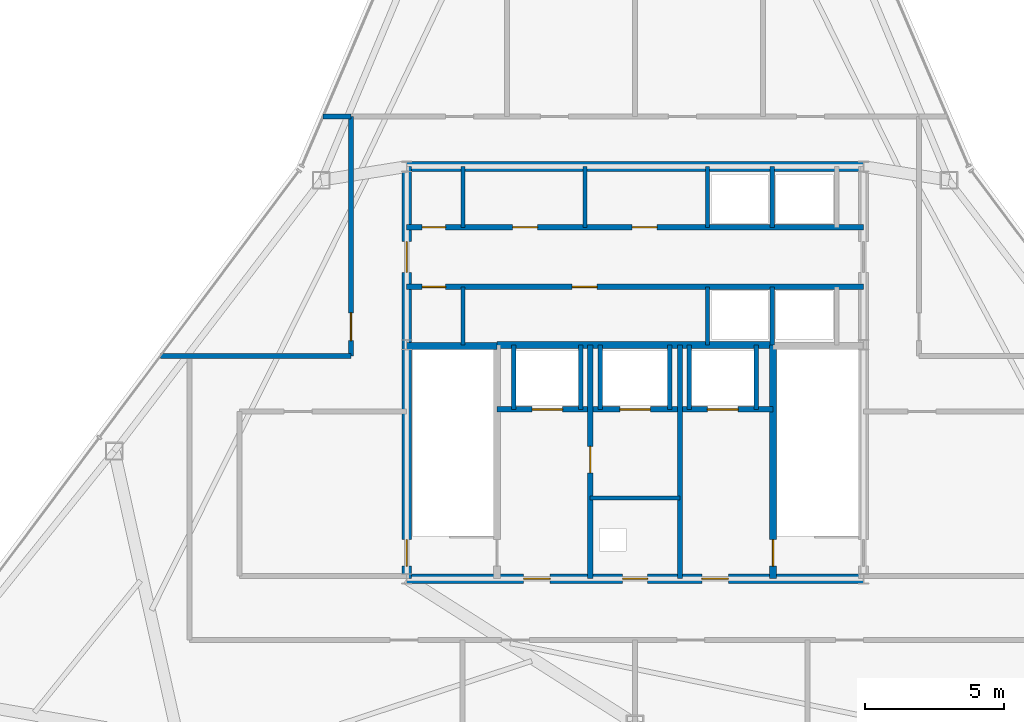
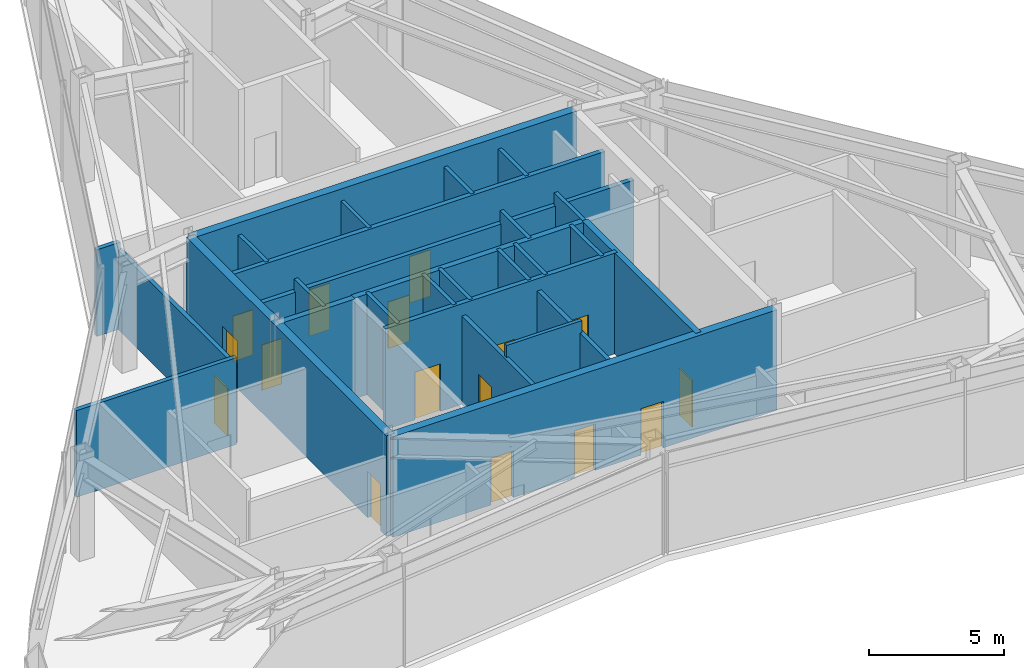
# One storey, part 9 of 11: 28 walls, 16 doors, 16 openings.
"""IFC4 building model written with IfcOpenShell, lengths in metres."""

from ifc_helpers import new_model, si_unit, direction, frame, frame_2d, origin, place, context, subcontext, project, spatial, rectangle, extrude, material, layer, layer_set, type_object, element, fill, save


model = new_model("IFC4")

# Units and contexts
model_context = context("Model", 3, precision=1e-05, world=origin(), true_north=direction((0.0, 1.0)))
body_context = subcontext(model_context, "Body", "Model", "MODEL_VIEW")
ifc_project = project(units=[si_unit("LENGTHUNIT", "METRE"), si_unit("AREAUNIT", "SQUARE_METRE"), si_unit("VOLUMEUNIT", "CUBIC_METRE"), si_unit("PLANEANGLEUNIT", "RADIAN"), si_unit("MASSUNIT", "GRAM", prefix="KILO")], contexts=[model_context])

# Site, building, storey
site_placement = place(None, origin())
site = spatial("IfcSite", under=ifc_project, at=site_placement, CompositionType="ELEMENT")
building_placement = place(site_placement, origin())
building = spatial("IfcBuilding", under=site, at=building_placement, Name="Varakhsha Concourse Tower", CompositionType="ELEMENT")
storey_placement = place(building_placement, frame((0.0, 0.0, 290.0)))
storey = spatial("IfcBuildingStorey", under=building, at=storey_placement, Name="L82", CompositionType="ELEMENT", Elevation=290.0)

# Wall, openings, doors
ifc_material_1 = material(Name="Concrete fc 65 MPa", Category="concrete")
ifc_layer_1 = layer(ifc_material_1, 0.35009765625, Name="WL-CORE-350")
ifc_layer_set_1 = layer_set([ifc_layer_1], Name="Concrete fc 65 MPa")
wall_type_1 = type_object("IfcWallType", Name="WL-CORE-350", PredefinedType="SHEAR", material=ifc_layer_set_1)
wall_1_placement = place(storey_placement, frame((31.800048828125, 16.39990234375, 0.0), z_axis=(0.0, 0.0, 1.0), x_axis=(1.0, 0.0, 0.0)))
wall_1 = element("IfcWall", 1, at=wall_1_placement, inside=storey, type_object=wall_type_1, Name="L82 Wall CWALL-S-L82", PredefinedType="SHEAR", context=body_context, shape_type="SweptSolid", body=[
    extrude(rectangle(XDim=16.39990234375, YDim=0.35009765625, at=frame_2d((8.199951171875, 0.0))), origin(), (0.0, 0.0, 1.0), 4.5400390625),
])
opening_1_placement = place(wall_1_placement, frame((7.75, 0.0, 0.0)))
opening_1 = element("IfcOpeningElement", 2, at=opening_1_placement, cuts=wall_1, Name="Opening DF-06", PredefinedType="OPENING", context=body_context, shape_type="SweptSolid", body=[
    extrude(rectangle(XDim=0.89990234375, YDim=2.10009765625, at=frame_2d((0.449951171875, 1.050048828125))), frame((0.0, 0.18505859375, 0.0), z_axis=(0.0, -1.0, 0.0), x_axis=(1.0, 0.0, 0.0)), (0.0, 0.0, 1.0), 0.3701171875),
])
opening_2_placement = place(wall_1_placement, frame((4.199951171875, 0.0, 0.0)))
opening_2 = element("IfcOpeningElement", 3, at=opening_2_placement, cuts=wall_1, Name="Opening DF-05", PredefinedType="OPENING", context=body_context, shape_type="SweptSolid", body=[
    extrude(rectangle(XDim=0.949951171875, YDim=2.10009765625, at=frame_2d((0.47509765625, 1.050048828125))), frame((0.0, 0.18505859375, 0.0), z_axis=(0.0, -1.0, 0.0), x_axis=(1.0, 0.0, 0.0)), (0.0, 0.0, 1.0), 0.3701171875),
])
opening_3_placement = place(wall_1_placement, frame((10.60009765625, 0.0, 0.0)))
opening_3 = element("IfcOpeningElement", 4, at=opening_3_placement, cuts=wall_1, Name="Opening DF-05", PredefinedType="OPENING", context=body_context, shape_type="SweptSolid", body=[
    extrude(rectangle(XDim=0.949951171875, YDim=2.10009765625, at=frame_2d((0.47509765625, 1.050048828125))), frame((0.0, 0.18505859375, 0.0), z_axis=(0.0, -1.0, 0.0), x_axis=(1.0, 0.0, 0.0)), (0.0, 0.0, 1.0), 0.3701171875),
])
ifc_material_2 = material(Name="Hollow Galvanised Steel Fire Door Assembly", Category="steel")
door_type_1 = type_object("IfcDoorType", Name="DR-FD60-900", OperationType="NOTDEFINED", PredefinedType="DOOR", material=ifc_material_2)
door_1_placement = place(opening_1_placement, origin())
door_1 = element("IfcDoor", 5, at=door_1_placement, inside=storey, type_object=door_type_1, Name="L82 Electrical Riser Access Door", OperationType="SINGLE_SWING_LEFT", OverallHeight=2.10009765625, OverallWidth=0.89990234375, PredefinedType="DOOR", context=body_context, shape_type="SweptSolid", body=[
    extrude(rectangle(XDim=0.89990234375, YDim=2.10009765625, at=frame_2d((0.449951171875, 1.050048828125))), frame((0.0, 0.02490234375, 0.0), z_axis=(0.0, -1.0, 0.0), x_axis=(1.0, 0.0, 0.0)), (0.0, 0.0, 1.0), 0.050048828125),
])
fill(opening_1, door_1)
door_type_2 = type_object("IfcDoorType", Name="DR-FD60-950", OperationType="NOTDEFINED", PredefinedType="DOOR", material=ifc_material_2)
door_2_placement = place(opening_2_placement, origin())
door_2 = element("IfcDoor", 6, at=door_2_placement, inside=storey, type_object=door_type_2, Name="L82 Firefighting Lobby West Door", OperationType="SINGLE_SWING_RIGHT", OverallHeight=2.10009765625, OverallWidth=0.949951171875, PredefinedType="DOOR", context=body_context, shape_type="SweptSolid", body=[
    extrude(rectangle(XDim=0.949951171875, YDim=2.10009765625, at=frame_2d((0.47509765625, 1.050048828125))), frame((0.0, 0.02490234375, 0.0), z_axis=(0.0, -1.0, 0.0), x_axis=(1.0, 0.0, 0.0)), (0.0, 0.0, 1.0), 0.050048828125),
])
fill(opening_2, door_2)
door_3_placement = place(opening_3_placement, origin())
door_3 = element("IfcDoor", 7, at=door_3_placement, inside=storey, type_object=door_type_2, Name="L82 Firefighting Lobby East Door", OperationType="SINGLE_SWING_LEFT", OverallHeight=2.10009765625, OverallWidth=0.949951171875, PredefinedType="DOOR", context=body_context, shape_type="SweptSolid", body=[
    extrude(rectangle(XDim=0.949951171875, YDim=2.10009765625, at=frame_2d((0.47509765625, 1.050048828125))), frame((0.0, 0.02490234375, 0.0), z_axis=(0.0, -1.0, 0.0), x_axis=(1.0, 0.0, 0.0)), (0.0, 0.0, 1.0), 0.050048828125),
])
fill(opening_3, door_3)

# Wall
wall_2_placement = place(storey_placement, frame((31.800048828125, 31.199951171875, 0.0), z_axis=(0.0, 0.0, 1.0), x_axis=(1.0, 0.0, 0.0)))
element("IfcWall", 8, at=wall_2_placement, inside=storey, type_object=wall_type_1, Name="L82 Wall CWALL-N-L82", PredefinedType="SHEAR", context=body_context, shape_type="SweptSolid", body=[
    extrude(rectangle(XDim=16.39990234375, YDim=0.35009765625, at=frame_2d((8.199951171875, 0.0))), origin(), (0.0, 0.0, 1.0), 4.5400390625),
])

# Wall, openings, doors
wall_3_placement = place(storey_placement, frame((31.800048828125, 16.39990234375, 0.0), z_axis=(0.0, 0.0, 1.0), x_axis=(0.0, 1.0, 0.0)))
wall_3 = element("IfcWall", 9, at=wall_3_placement, inside=storey, type_object=wall_type_1, Name="L82 Wall CWALL-W-L82", PredefinedType="SHEAR", context=body_context, shape_type="SweptSolid", body=[
    extrude(rectangle(XDim=14.800048828125, YDim=0.35009765625, at=frame_2d((7.39990234375, 0.0))), origin(), (0.0, 0.0, 1.0), 4.5400390625),
])
opening_4_placement = place(wall_3_placement, frame((11.0, 0.0, 0.0)))
opening_4 = element("IfcOpeningElement", 10, at=opening_4_placement, cuts=wall_3, Name="Opening DL-01", PredefinedType="OPENING", context=body_context, shape_type="SweptSolid", body=[
    extrude(rectangle(XDim=1.10009765625, YDim=2.14990234375, at=frame_2d((0.550048828125, 1.074951171875))), frame((0.0, 0.18505859375, 0.0), z_axis=(0.0, -1.0, 0.0), x_axis=(1.0, 0.0, 0.0)), (0.0, 0.0, 1.0), 0.3701171875),
])
opening_5_placement = place(wall_3_placement, frame((0.449951171875, 0.0, 0.0)))
opening_5 = element("IfcOpeningElement", 11, at=opening_5_placement, cuts=wall_3, Name="Opening DF-03", PredefinedType="OPENING", context=body_context, shape_type="SweptSolid", body=[
    extrude(rectangle(XDim=0.949951171875, YDim=2.10009765625, at=frame_2d((0.47509765625, 1.050048828125))), frame((0.0, 0.18505859375, 0.0), z_axis=(0.0, -1.0, 0.0), x_axis=(1.0, 0.0, 0.0)), (0.0, 0.0, 1.0), 0.3701171875),
])
door_type_3 = type_object("IfcDoorType", Name="DR-FD90-950", OperationType="NOTDEFINED", PredefinedType="DOOR", material=ifc_material_2)
door_4_placement = place(opening_5_placement, origin())
door_4 = element("IfcDoor", 12, at=door_4_placement, inside=storey, type_object=door_type_3, Name="L82 Area of Refuge West Stair ST1 Door", OperationType="SINGLE_SWING_LEFT", OverallHeight=2.10009765625, OverallWidth=0.949951171875, PredefinedType="DOOR", context=body_context, shape_type="SweptSolid", body=[
    extrude(rectangle(XDim=0.949951171875, YDim=2.10009765625, at=frame_2d((0.47509765625, 1.050048828125))), frame((0.0, 0.02490234375, 0.0), z_axis=(0.0, -1.0, 0.0), x_axis=(1.0, 0.0, 0.0)), (0.0, 0.0, 1.0), 0.050048828125),
])
fill(opening_5, door_4)
ifc_material_3 = material(Name="Anodised Bronze Architectural Aluminium AA 6063-T6", Category="aluminium")
door_type_4 = type_object("IfcDoorType", Name="DR-LOB-1100", OperationType="NOTDEFINED", PredefinedType="DOOR", material=ifc_material_3)
door_5_placement = place(opening_4_placement, origin())
door_5 = element("IfcDoor", 13, at=door_5_placement, inside=storey, type_object=door_type_4, Name="L82 Lift Lobby West Concourse Door", OperationType="SINGLE_SWING_LEFT", OverallHeight=2.14990234375, OverallWidth=1.10009765625, PredefinedType="DOOR", context=body_context, shape_type="SweptSolid", body=[
    extrude(rectangle(XDim=1.10009765625, YDim=2.14990234375, at=frame_2d((0.550048828125, 1.074951171875))), frame((0.0, 0.02490234375, 0.0), z_axis=(0.0, -1.0, 0.0), x_axis=(1.0, 0.0, 0.0)), (0.0, 0.0, 1.0), 0.050048828125),
])
fill(opening_4, door_5)

# Wall, opening, door
ifc_material_4 = material(Name="Fire-Rated Type X Gypsum Partition Assembly", Category="gypsum")
ifc_layer_2 = layer(ifc_material_4, 0.179931640625, Name="WL-FFLOB-180")
ifc_layer_set_2 = layer_set([ifc_layer_2], Name="Fire-Rated Type X Gypsum Partition Assembly")
wall_type_2 = type_object("IfcWallType", Name="WL-FFLOB-180", PredefinedType="PARTITIONING", material=ifc_layer_set_2)
wall_4_placement = place(storey_placement, frame((38.389892578125, 16.39990234375, 0.0), z_axis=(0.0, 0.0, 1.0), x_axis=(0.0, 1.0, 0.0)))
wall_4 = element("IfcWall", 14, at=wall_4_placement, inside=storey, type_object=wall_type_2, Name="L82 Wall FFW-1E-L82", PredefinedType="PARTITIONING", context=body_context, shape_type="SweptSolid", body=[
    extrude(rectangle(XDim=8.400146484375, YDim=0.179931640625, at=frame_2d((4.2001953125, 0.0))), origin(), (0.0, 0.0, 1.0), 3.9951171875),
])
opening_6_placement = place(wall_4_placement, frame((3.800048828125, 0.0, 0.0)))
opening_6 = element("IfcOpeningElement", 15, at=opening_6_placement, cuts=wall_4, Name="Opening DF-05", PredefinedType="OPENING", context=body_context, shape_type="SweptSolid", body=[
    extrude(rectangle(XDim=0.949951171875, YDim=2.10009765625, at=frame_2d((0.47509765625, 1.050048828125))), frame((0.0, 0.099853515625, 0.0), z_axis=(0.0, -1.0, 0.0), x_axis=(1.0, 0.0, 0.0)), (0.0, 0.0, 1.0), 0.199951171875),
])
door_6_placement = place(opening_6_placement, origin())
door_6 = element("IfcDoor", 16, at=door_6_placement, inside=storey, type_object=door_type_2, Name="L82 Service Vestibule Door", OperationType="SINGLE_SWING_RIGHT", OverallHeight=2.10009765625, OverallWidth=0.949951171875, PredefinedType="DOOR", context=body_context, shape_type="SweptSolid", body=[
    extrude(rectangle(XDim=0.949951171875, YDim=2.10009765625, at=frame_2d((0.47509765625, 1.050048828125))), frame((0.0, 0.02490234375, 0.0), z_axis=(0.0, -1.0, 0.0), x_axis=(1.0, 0.0, 0.0)), (0.0, 0.0, 1.0), 0.050048828125),
])
fill(opening_6, door_6)

# Walls
wall_5_placement = place(storey_placement, frame((41.610107421875, 16.39990234375, 0.0), z_axis=(0.0, 0.0, 1.0), x_axis=(0.0, 1.0, 0.0)))
element("IfcWall", 17, at=wall_5_placement, inside=storey, type_object=wall_type_2, Name="L82 Wall FFW-2W-L82", PredefinedType="PARTITIONING", context=body_context, shape_type="SweptSolid", body=[
    extrude(rectangle(XDim=8.400146484375, YDim=0.179931640625, at=frame_2d((4.2001953125, 0.0))), origin(), (0.0, 0.0, 1.0), 3.9951171875),
])
ifc_layer_3 = layer(ifc_material_4, 0.14990234375, Name="WL-PART-150")
ifc_layer_set_3 = layer_set([ifc_layer_3], Name="Fire-Rated Type X Gypsum Partition Assembly")
wall_type_3 = type_object("IfcWallType", Name="WL-PART-150", PredefinedType="PARTITIONING", material=ifc_layer_set_3)
wall_6_placement = place(storey_placement, frame((38.389892578125, 19.300048828125, 0.0), z_axis=(0.0, 0.0, 1.0), x_axis=(1.0, 0.0, 0.0)))
element("IfcWall", 18, at=wall_6_placement, inside=storey, type_object=wall_type_3, Name="L82 Wall RSW-H-L82", PredefinedType="PARTITIONING", context=body_context, shape_type="SweptSolid", body=[
    extrude(rectangle(XDim=3.22021484375, YDim=0.14990234375, at=frame_2d((1.610107421875, 0.0))), origin(), (0.0, 0.0, 1.0), 4.5400390625),
])
wall_7_placement = place(storey_placement, frame((38.199951171875, 29.02001953125, 0.0), z_axis=(0.0, 0.0, 1.0), x_axis=(0.0, 1.0, 0.0)))
element("IfcWall", 19, at=wall_7_placement, inside=storey, type_object=wall_type_3, Name="L82 Wall P1F-D1-L82", PredefinedType="PARTITIONING", context=body_context, shape_type="SweptSolid", body=[
    extrude(rectangle(XDim=2.179931640625, YDim=0.14990234375, at=frame_2d((1.08984375, 0.0))), origin(), (0.0, 0.0, 1.0), 3.9951171875),
])

# Wall, opening, door
ifc_layer_4 = layer(ifc_material_4, 0.179931640625, Name="WL-PART-180")
ifc_layer_set_4 = layer_set([ifc_layer_4], Name="Fire-Rated Type X Gypsum Partition Assembly")
wall_type_4 = type_object("IfcWallType", Name="WL-PART-180", PredefinedType="PARTITIONING", material=ifc_layer_set_4)
wall_8_placement = place(storey_placement, frame((29.800048828125, 24.39990234375, 0.0), z_axis=(0.0, 0.0, 1.0), x_axis=(0.0, 1.0, 0.0)))
wall_8 = element("IfcWall", 20, at=wall_8_placement, inside=storey, type_object=wall_type_4, Name="L82 Wall PCW-WW-L82", PredefinedType="PARTITIONING", context=body_context, shape_type="SweptSolid", body=[
    extrude(rectangle(XDim=8.60009765625, YDim=0.179931640625, at=frame_2d((4.300048828125, 0.0))), origin(), (0.0, 0.0, 1.0), 3.58203125),
])
opening_7_placement = place(wall_8_placement, frame((0.550048828125, 0.0, 0.0)))
opening_7 = element("IfcOpeningElement", 21, at=opening_7_placement, cuts=wall_8, Name="Opening DF-04", PredefinedType="OPENING", context=body_context, shape_type="SweptSolid", body=[
    extrude(rectangle(XDim=1.0, YDim=2.14990234375, at=frame_2d((0.5, 1.074951171875))), frame((0.0, 0.099853515625, 0.0), z_axis=(0.0, -1.0, 0.0), x_axis=(1.0, 0.0, 0.0)), (0.0, 0.0, 1.0), 0.199951171875),
])
door_type_5 = type_object("IfcDoorType", Name="DR-FD60-1000", OperationType="NOTDEFINED", PredefinedType="DOOR", material=ifc_material_2)
door_7_placement = place(opening_7_placement, origin())
door_7 = element("IfcDoor", 22, at=door_7_placement, inside=storey, type_object=door_type_5, Name="L82 West AHU and Smoke Exhaust Plant Room Door", OperationType="SINGLE_SWING_LEFT", OverallHeight=2.14990234375, OverallWidth=1.0, PredefinedType="DOOR", context=body_context, shape_type="SweptSolid", body=[
    extrude(rectangle(XDim=1.0, YDim=2.14990234375, at=frame_2d((0.5, 1.074951171875))), frame((0.0, 0.02490234375, 0.0), z_axis=(0.0, -1.0, 0.0), x_axis=(1.0, 0.0, 0.0)), (0.0, 0.0, 1.0), 0.050048828125),
])
fill(opening_7, door_7)

# Walls
wall_9_placement = place(storey_placement, frame((22.960205078125, 24.39990234375, 0.0), z_axis=(0.0, 0.0, 1.0), x_axis=(1.0, 0.0, 0.0)))
element("IfcWall", 23, at=wall_9_placement, inside=storey, type_object=wall_type_4, Name="L82 Wall PDIV-WS-L82", PredefinedType="PARTITIONING", context=body_context, shape_type="SweptSolid", body=[
    extrude(rectangle(XDim=6.83984375, YDim=0.179931640625, at=frame_2d((3.419921875, 0.0))), origin(), (0.0, 0.0, 1.0), 3.91796875),
])
wall_10_placement = place(storey_placement, frame((28.79736328125, 33.0, 0.0), z_axis=(0.0, 0.0, 1.0), x_axis=(1.0, 0.0, 0.0)))
element("IfcWall", 24, at=wall_10_placement, inside=storey, type_object=wall_type_4, Name="L82 Wall PDIV-WN-L82", PredefinedType="PARTITIONING", context=body_context, shape_type="SweptSolid", body=[
    extrude(rectangle(XDim=1.002685546875, YDim=0.179931640625, at=frame_2d((0.50146484375, 0.0))), origin(), (0.0, 0.0, 1.0), 3.91796875),
])

# Wall, openings, doors
ifc_layer_5 = layer(ifc_material_4, 0.199951171875, Name="WL-SHAFT-220")
ifc_layer_set_5 = layer_set([ifc_layer_5], Name="Fire-Rated Type X Gypsum Partition Assembly")
wall_type_5 = type_object("IfcWallType", Name="WL-SHAFT-220", PredefinedType="SOLIDWALL", material=ifc_layer_set_5)
wall_11_placement = place(storey_placement, frame((35.044921875, 22.47998046875, 0.0), z_axis=(0.0, 0.0, 1.0), x_axis=(1.0, 0.0, 0.0)))
wall_11 = element("IfcWall", 25, at=wall_11_placement, inside=storey, type_object=wall_type_5, Name="L82 Wall FFW-NH-L82", PredefinedType="SOLIDWALL", context=body_context, shape_type="SweptSolid", body=[
    extrude(rectangle(XDim=9.91015625, YDim=0.199951171875, at=frame_2d((4.955078125, 0.0))), origin(), (0.0, 0.0, 1.0), 4.5400390625),
])
opening_8_placement = place(wall_11_placement, frame((1.2548828125, 0.0, 0.0)))
opening_8 = element("IfcOpeningElement", 26, at=opening_8_placement, cuts=wall_11, Name="Opening LD-FFL-1", PredefinedType="OPENING", context=body_context, shape_type="SweptSolid", body=[
    extrude(rectangle(XDim=1.10009765625, YDim=2.14990234375, at=frame_2d((0.550048828125, 1.074951171875))), frame((0.0, 0.10986328125, 0.0), z_axis=(0.0, -1.0, 0.0), x_axis=(1.0, 0.0, 0.0)), (0.0, 0.0, 1.0), 0.219970703125),
])
opening_9_placement = place(wall_11_placement, frame((7.554931640625, 0.0, 0.0)))
opening_9 = element("IfcOpeningElement", 27, at=opening_9_placement, cuts=wall_11, Name="Opening LD-FFL-2", PredefinedType="OPENING", context=body_context, shape_type="SweptSolid", body=[
    extrude(rectangle(XDim=1.10009765625, YDim=2.14990234375, at=frame_2d((0.550048828125, 1.074951171875))), frame((0.0, 0.10986328125, 0.0), z_axis=(0.0, -1.0, 0.0), x_axis=(1.0, 0.0, 0.0)), (0.0, 0.0, 1.0), 0.219970703125),
])
opening_10_placement = place(wall_11_placement, frame((4.405029296875, 0.0, 0.0)))
opening_10 = element("IfcOpeningElement", 28, at=opening_10_placement, cuts=wall_11, Name="Opening LD-SVL-1", PredefinedType="OPENING", context=body_context, shape_type="SweptSolid", body=[
    extrude(rectangle(XDim=1.10009765625, YDim=2.14990234375, at=frame_2d((0.550048828125, 1.074951171875))), frame((0.0, 0.10986328125, 0.0), z_axis=(0.0, -1.0, 0.0), x_axis=(1.0, 0.0, 0.0)), (0.0, 0.0, 1.0), 0.219970703125),
])
ifc_material_5 = material(Name="Brushed Austenitic Stainless Steel AISI 316", Category="steel")
door_type_6 = type_object("IfcDoorType", Name="DR-LD-1100", OperationType="DOUBLE_DOOR_SLIDING", PredefinedType="DOOR", material=ifc_material_5)
door_8_placement = place(opening_8_placement, origin())
door_8 = element("IfcDoor", 29, at=door_8_placement, inside=storey, type_object=door_type_6, Name="Lift Landing Door FFL-1 L82", OperationType="DOUBLE_DOOR_SLIDING", OverallHeight=2.14990234375, OverallWidth=1.10009765625, PredefinedType="DOOR", context=body_context, shape_type="SweptSolid", body=[
    extrude(rectangle(XDim=1.10009765625, YDim=2.14990234375, at=frame_2d((0.550048828125, 1.074951171875))), frame((0.0, 0.02490234375, 0.0), z_axis=(0.0, -1.0, 0.0), x_axis=(1.0, 0.0, 0.0)), (0.0, 0.0, 1.0), 0.050048828125),
])
fill(opening_8, door_8)
door_9_placement = place(opening_9_placement, origin())
door_9 = element("IfcDoor", 30, at=door_9_placement, inside=storey, type_object=door_type_6, Name="Lift Landing Door FFL-2 L82", OperationType="DOUBLE_DOOR_SLIDING", OverallHeight=2.14990234375, OverallWidth=1.10009765625, PredefinedType="DOOR", context=body_context, shape_type="SweptSolid", body=[
    extrude(rectangle(XDim=1.10009765625, YDim=2.14990234375, at=frame_2d((0.550048828125, 1.074951171875))), frame((0.0, 0.02490234375, 0.0), z_axis=(0.0, -1.0, 0.0), x_axis=(1.0, 0.0, 0.0)), (0.0, 0.0, 1.0), 0.050048828125),
])
fill(opening_9, door_9)
door_10_placement = place(opening_10_placement, origin())
door_10 = element("IfcDoor", 31, at=door_10_placement, inside=storey, type_object=door_type_6, Name="Lift Landing Door SVL-1 L82", OperationType="DOUBLE_DOOR_SLIDING", OverallHeight=2.14990234375, OverallWidth=1.10009765625, PredefinedType="DOOR", context=body_context, shape_type="SweptSolid", body=[
    extrude(rectangle(XDim=1.10009765625, YDim=2.14990234375, at=frame_2d((0.550048828125, 1.074951171875))), frame((0.0, 0.02490234375, 0.0), z_axis=(0.0, -1.0, 0.0), x_axis=(1.0, 0.0, 0.0)), (0.0, 0.0, 1.0), 0.050048828125),
])
fill(opening_10, door_10)

# Walls
for number, where, z_axis, x_axis, name in (
    (32, (35.64990234375, 22.47998046875, 0.0), (0.0, 0.0, 1.0), (0.0, 1.0, 0.0), "L82 Wall SHW-FFL-1-W-L82"),
    (33, (38.050048828125, 22.47998046875, 0.0), (0.0, 0.0, 1.0), (0.0, 1.0, 0.0), "L82 Wall SHW-FFL-1-E-L82"),
    (34, (41.949951171875, 22.47998046875, 0.0), (0.0, 0.0, 1.0), (0.0, 1.0, 0.0), "L82 Wall SHW-FFL-2-W-L82"),
    (35, (44.35009765625, 22.47998046875, 0.0), (0.0, 0.0, 1.0), (0.0, 1.0, 0.0), "L82 Wall SHW-FFL-2-E-L82"),
    (36, (38.75, 22.47998046875, 0.0), (0.0, 0.0, 1.0), (0.0, 1.0, 0.0), "L82 Wall SHW-SVL-1-W-L82"),
    (37, (41.25, 22.47998046875, 0.0), (0.0, 0.0, 1.0), (0.0, 1.0, 0.0), "L82 Wall SHW-SVL-1-E-L82"),
):
    element("IfcWall", number, at=place(storey_placement, frame(where, z_axis=z_axis, x_axis=x_axis)), inside=storey, type_object=wall_type_5, Name=name, PredefinedType="SOLIDWALL", context=body_context, shape_type="SweptSolid", body=[
        extrude(rectangle(XDim=2.320068359375, YDim=0.159912109375, at=frame_2d((1.16015625, 0.0))), origin(), (0.0, 0.0, 1.0), 4.5400390625),
    ])

# Wall, openings, doors
wall_12_placement = place(storey_placement, frame((31.800048828125, 29.02001953125, 0.0), z_axis=(0.0, 0.0, 1.0), x_axis=(1.0, 0.0, 0.0)))
wall_12 = element("IfcWall", 38, at=wall_12_placement, inside=storey, type_object=wall_type_5, Name="L82 Wall PLW-N-L82", PredefinedType="SOLIDWALL", context=body_context, shape_type="SweptSolid", body=[
    extrude(rectangle(XDim=16.39990234375, YDim=0.199951171875, at=frame_2d((8.199951171875, 0.0))), origin(), (0.0, 0.0, 1.0), 3.9951171875),
])
opening_11_placement = place(wall_12_placement, frame((0.550048828125, 0.0, 0.0)))
opening_11 = element("IfcOpeningElement", 39, at=opening_11_placement, cuts=wall_12, Name="Opening DF-07", PredefinedType="OPENING", context=body_context, shape_type="SweptSolid", body=[
    extrude(rectangle(XDim=0.85009765625, YDim=2.050048828125, at=frame_2d((0.425048828125, 1.02490234375))), frame((0.0, 0.10986328125, 0.0), z_axis=(0.0, -1.0, 0.0), x_axis=(1.0, 0.0, 0.0)), (0.0, 0.0, 1.0), 0.219970703125),
])
opening_12_placement = place(wall_12_placement, frame((3.800048828125, 0.0, 0.0)))
opening_12 = element("IfcOpeningElement", 40, at=opening_12_placement, cuts=wall_12, Name="Opening DF-06", PredefinedType="OPENING", context=body_context, shape_type="SweptSolid", body=[
    extrude(rectangle(XDim=0.89990234375, YDim=2.10009765625, at=frame_2d((0.449951171875, 1.050048828125))), frame((0.0, 0.10986328125, 0.0), z_axis=(0.0, -1.0, 0.0), x_axis=(1.0, 0.0, 0.0)), (0.0, 0.0, 1.0), 0.219970703125),
])
opening_13_placement = place(wall_12_placement, frame((8.090087890625, 0.0, 0.0)))
opening_13 = element("IfcOpeningElement", 41, at=opening_13_placement, cuts=wall_12, Name="Opening DF-06", PredefinedType="OPENING", context=body_context, shape_type="SweptSolid", body=[
    extrude(rectangle(XDim=0.89990234375, YDim=2.10009765625, at=frame_2d((0.449951171875, 1.050048828125))), frame((0.0, 0.10986328125, 0.0), z_axis=(0.0, -1.0, 0.0), x_axis=(1.0, 0.0, 0.0)), (0.0, 0.0, 1.0), 0.219970703125),
])
door_type_7 = type_object("IfcDoorType", Name="DR-FD60-850", OperationType="NOTDEFINED", PredefinedType="DOOR", material=ifc_material_2)
door_11_placement = place(opening_11_placement, origin())
door_11 = element("IfcDoor", 42, at=door_11_placement, inside=storey, type_object=door_type_7, Name="L82 Core Janitor Closet Door", OperationType="SINGLE_SWING_LEFT", OverallHeight=2.050048828125, OverallWidth=0.85009765625, PredefinedType="DOOR", context=body_context, shape_type="SweptSolid", body=[
    extrude(rectangle(XDim=0.85009765625, YDim=2.050048828125, at=frame_2d((0.425048828125, 1.02490234375))), frame((0.0, 0.02490234375, 0.0), z_axis=(0.0, -1.0, 0.0), x_axis=(1.0, 0.0, 0.0)), (0.0, 0.0, 1.0), 0.050048828125),
])
fill(opening_11, door_11)
door_12_placement = place(opening_12_placement, origin())
door_12 = element("IfcDoor", 43, at=door_12_placement, inside=storey, type_object=door_type_1, Name="L82 Tenant Archive and IT Server Room Door", OperationType="SINGLE_SWING_LEFT", OverallHeight=2.10009765625, OverallWidth=0.89990234375, PredefinedType="DOOR", context=body_context, shape_type="SweptSolid", body=[
    extrude(rectangle(XDim=0.89990234375, YDim=2.10009765625, at=frame_2d((0.449951171875, 1.050048828125))), frame((0.0, 0.02490234375, 0.0), z_axis=(0.0, -1.0, 0.0), x_axis=(1.0, 0.0, 0.0)), (0.0, 0.0, 1.0), 0.050048828125),
])
fill(opening_12, door_12)
door_13_placement = place(opening_13_placement, origin())
door_13 = element("IfcDoor", 44, at=door_13_placement, inside=storey, type_object=door_type_1, Name="L82 Core Facility Closet N1 Door", OperationType="SINGLE_SWING_RIGHT", OverallHeight=2.10009765625, OverallWidth=0.89990234375, PredefinedType="DOOR", context=body_context, shape_type="SweptSolid", body=[
    extrude(rectangle(XDim=0.89990234375, YDim=2.10009765625, at=frame_2d((0.449951171875, 1.050048828125))), frame((0.0, 0.02490234375, 0.0), z_axis=(0.0, -1.0, 0.0), x_axis=(1.0, 0.0, 0.0)), (0.0, 0.0, 1.0), 0.050048828125),
])
fill(opening_13, door_13)

wall_13_placement = place(storey_placement, frame((31.800048828125, 26.8798828125, 0.0), z_axis=(0.0, 0.0, 1.0), x_axis=(1.0, 0.0, 0.0)))
wall_13 = element("IfcWall", 45, at=wall_13_placement, inside=storey, type_object=wall_type_5, Name="L82 Wall PLW-S-L82", PredefinedType="SOLIDWALL", context=body_context, shape_type="SweptSolid", body=[
    extrude(rectangle(XDim=16.39990234375, YDim=0.199951171875, at=frame_2d((8.199951171875, 0.0))), origin(), (0.0, 0.0, 1.0), 3.9951171875),
])
opening_14_placement = place(wall_13_placement, frame((0.550048828125, 0.0, 0.0)))
opening_14 = element("IfcOpeningElement", 46, at=opening_14_placement, cuts=wall_13, Name="Opening DF-07", PredefinedType="OPENING", context=body_context, shape_type="SweptSolid", body=[
    extrude(rectangle(XDim=0.85009765625, YDim=2.050048828125, at=frame_2d((0.425048828125, 1.02490234375))), frame((0.0, 0.10986328125, 0.0), z_axis=(0.0, -1.0, 0.0), x_axis=(1.0, 0.0, 0.0)), (0.0, 0.0, 1.0), 0.219970703125),
])
opening_15_placement = place(wall_13_placement, frame((5.93994140625, 0.0, 0.0)))
opening_15 = element("IfcOpeningElement", 47, at=opening_15_placement, cuts=wall_13, Name="Opening DF-06", PredefinedType="OPENING", context=body_context, shape_type="SweptSolid", body=[
    extrude(rectangle(XDim=0.89990234375, YDim=2.10009765625, at=frame_2d((0.449951171875, 1.050048828125))), frame((0.0, 0.10986328125, 0.0), z_axis=(0.0, -1.0, 0.0), x_axis=(1.0, 0.0, 0.0)), (0.0, 0.0, 1.0), 0.219970703125),
])
door_14_placement = place(opening_14_placement, origin())
door_14 = element("IfcDoor", 48, at=door_14_placement, inside=storey, type_object=door_type_7, Name="L82 Core Telecoms Closet Door", OperationType="SINGLE_SWING_RIGHT", OverallHeight=2.050048828125, OverallWidth=0.85009765625, PredefinedType="DOOR", context=body_context, shape_type="SweptSolid", body=[
    extrude(rectangle(XDim=0.85009765625, YDim=2.050048828125, at=frame_2d((0.425048828125, 1.02490234375))), frame((0.0, 0.02490234375, 0.0), z_axis=(0.0, -1.0, 0.0), x_axis=(1.0, 0.0, 0.0)), (0.0, 0.0, 1.0), 0.050048828125),
])
fill(opening_14, door_14)
door_15_placement = place(opening_15_placement, origin())
door_15 = element("IfcDoor", 49, at=door_15_placement, inside=storey, type_object=door_type_1, Name="L82 Executive Pantry and Copy Suite Door", OperationType="SINGLE_SWING_RIGHT", OverallHeight=2.10009765625, OverallWidth=0.89990234375, PredefinedType="DOOR", context=body_context, shape_type="SweptSolid", body=[
    extrude(rectangle(XDim=0.89990234375, YDim=2.10009765625, at=frame_2d((0.449951171875, 1.050048828125))), frame((0.0, 0.02490234375, 0.0), z_axis=(0.0, -1.0, 0.0), x_axis=(1.0, 0.0, 0.0)), (0.0, 0.0, 1.0), 0.050048828125),
])
fill(opening_15, door_15)

# Walls
wall_14_placement = place(storey_placement, frame((33.820068359375, 29.02001953125, 0.0), z_axis=(0.0, 0.0, 1.0), x_axis=(0.0, 1.0, 0.0)))
element("IfcWall", 50, at=wall_14_placement, inside=storey, type_object=wall_type_5, Name="L82 Wall WBOH-E1-L82", PredefinedType="SOLIDWALL", context=body_context, shape_type="SweptSolid", body=[
    extrude(rectangle(XDim=2.179931640625, YDim=0.159912109375, at=frame_2d((1.08984375, 0.0))), origin(), (0.0, 0.0, 1.0), 3.9951171875),
])
wall_15_placement = place(storey_placement, frame((33.820068359375, 24.800048828125, 0.0), z_axis=(0.0, 0.0, 1.0), x_axis=(0.0, 1.0, 0.0)))
element("IfcWall", 51, at=wall_15_placement, inside=storey, type_object=wall_type_5, Name="L82 Wall WBOH-E2-L82", PredefinedType="SOLIDWALL", context=body_context, shape_type="SweptSolid", body=[
    extrude(rectangle(XDim=2.079833984375, YDim=0.159912109375, at=frame_2d((1.0400390625, 0.0))), origin(), (0.0, 0.0, 1.0), 4.5400390625),
])
for number, where, z_axis, x_axis, name in (
    (52, (42.60009765625, 29.02001953125, 0.0), (0.0, 0.0, 1.0), (0.0, 1.0, 0.0), "L82 Wall SHW-LF-P09-W-L82"),
    (53, (44.919921875, 29.02001953125, 0.0), (0.0, 0.0, 1.0), (0.0, 1.0, 0.0), "L82 Wall SHW-LF-P09-E-L82"),
):
    element("IfcWall", number, at=place(storey_placement, frame(where, z_axis=z_axis, x_axis=x_axis)), inside=storey, type_object=wall_type_5, Name=name, PredefinedType="SOLIDWALL", context=body_context, shape_type="SweptSolid", body=[
        extrude(rectangle(XDim=2.179931640625, YDim=0.159912109375, at=frame_2d((1.08984375, 0.0))), origin(), (0.0, 0.0, 1.0), 3.9951171875),
    ])
for number, where, z_axis, x_axis, name in (
    (54, (42.60009765625, 24.800048828125, 0.0), (0.0, 0.0, 1.0), (0.0, 1.0, 0.0), "L82 Wall SHW-LF-P11-W-L82"),
    (55, (44.919921875, 24.800048828125, 0.0), (0.0, 0.0, 1.0), (0.0, 1.0, 0.0), "L82 Wall SHW-LF-P11-E-L82"),
):
    element("IfcWall", number, at=place(storey_placement, frame(where, z_axis=z_axis, x_axis=x_axis)), inside=storey, type_object=wall_type_5, Name=name, PredefinedType="SOLIDWALL", context=body_context, shape_type="SweptSolid", body=[
        extrude(rectangle(XDim=2.079833984375, YDim=0.159912109375, at=frame_2d((1.0400390625, 0.0))), origin(), (0.0, 0.0, 1.0), 4.5400390625),
    ])
ifc_material_6 = material(Name="Concrete fc 45 MPa", Category="concrete")
ifc_layer_6 = layer(ifc_material_6, 0.25, Name="WL-STAIR-250")
ifc_layer_set_6 = layer_set([ifc_layer_6], Name="Concrete fc 45 MPa")
wall_type_6 = type_object("IfcWallType", Name="WL-STAIR-250", PredefinedType="SHEAR", material=ifc_layer_set_6)
wall_16_placement = place(storey_placement, frame((31.800048828125, 24.7548828125, 0.0), z_axis=(0.0, 0.0, 1.0), x_axis=(1.0, 0.0, 0.0)))
element("IfcWall", 56, at=wall_16_placement, inside=storey, type_object=wall_type_6, Name="L82 Wall SWALL-ST1-N-L82", PredefinedType="SHEAR", context=body_context, shape_type="SweptSolid", body=[
    extrude(rectangle(XDim=3.244873046875, YDim=0.25, at=frame_2d((1.62255859375, 0.0))), origin(), (0.0, 0.0, 1.0), 4.5400390625),
])

# Wall, opening, door
wall_17_placement = place(storey_placement, frame((44.955078125, 16.39990234375, 0.0), z_axis=(0.0, 0.0, 1.0), x_axis=(0.0, 1.0, 0.0)))
wall_17 = element("IfcWall", 57, at=wall_17_placement, inside=storey, type_object=wall_type_6, Name="L82 Wall SWALL-ST2-W-L82", PredefinedType="SHEAR", context=body_context, shape_type="SweptSolid", body=[
    extrude(rectangle(XDim=8.400146484375, YDim=0.25, at=frame_2d((4.2001953125, 0.0))), origin(), (0.0, 0.0, 1.0), 4.5400390625),
])
opening_16_placement = place(wall_17_placement, frame((0.449951171875, 0.0, 0.0)))
opening_16 = element("IfcOpeningElement", 58, at=opening_16_placement, cuts=wall_17, Name="Opening DF-03", PredefinedType="OPENING", context=body_context, shape_type="SweptSolid", body=[
    extrude(rectangle(XDim=0.949951171875, YDim=2.10009765625, at=frame_2d((0.47509765625, 1.050048828125))), frame((0.0, 0.135009765625, 0.0), z_axis=(0.0, -1.0, 0.0), x_axis=(1.0, 0.0, 0.0)), (0.0, 0.0, 1.0), 0.27001953125),
])
door_16_placement = place(opening_16_placement, origin())
door_16 = element("IfcDoor", 59, at=door_16_placement, inside=storey, type_object=door_type_3, Name="L82 Stair ST2 Fire Door", OperationType="SINGLE_SWING_RIGHT", OverallHeight=2.10009765625, OverallWidth=0.949951171875, PredefinedType="DOOR", context=body_context, shape_type="SweptSolid", body=[
    extrude(rectangle(XDim=0.949951171875, YDim=2.10009765625, at=frame_2d((0.47509765625, 1.050048828125))), frame((0.0, 0.02490234375, 0.0), z_axis=(0.0, -1.0, 0.0), x_axis=(1.0, 0.0, 0.0)), (0.0, 0.0, 1.0), 0.050048828125),
])
fill(opening_16, door_16)

# Wall
wall_18_placement = place(storey_placement, frame((35.044921875, 24.800048828125, 0.0), z_axis=(0.0, 0.0, 1.0), x_axis=(1.0, 0.0, 0.0)))
element("IfcWall", 60, at=wall_18_placement, inside=storey, type_object=wall_type_6, Name="L82 Wall SWALL-MID-H-L82", PredefinedType="SHEAR", context=body_context, shape_type="SweptSolid", body=[
    extrude(rectangle(XDim=9.91015625, YDim=0.25, at=frame_2d((4.955078125, 0.0))), origin(), (0.0, 0.0, 1.0), 4.5400390625),
])

save(model, "model.ifc")
